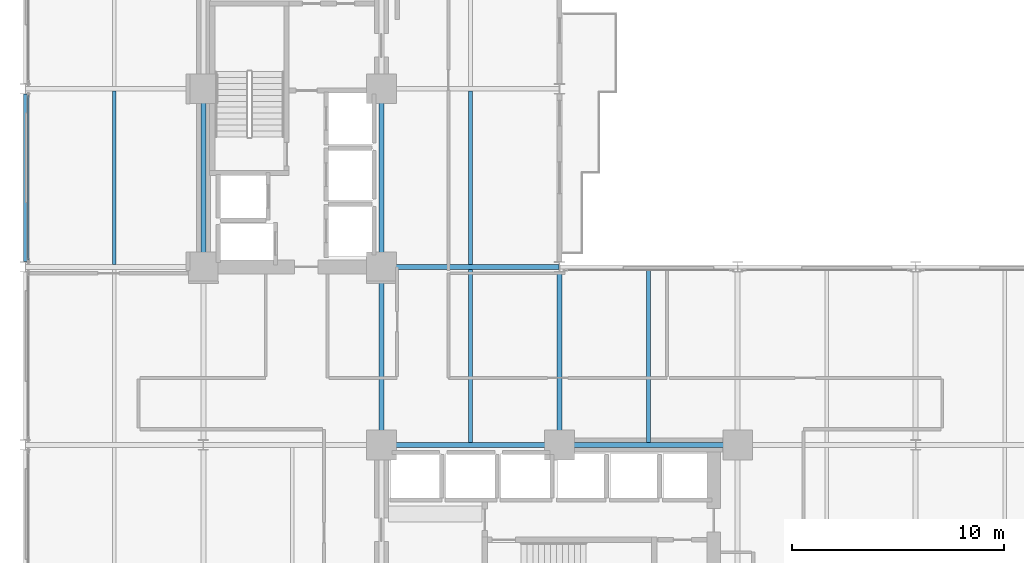
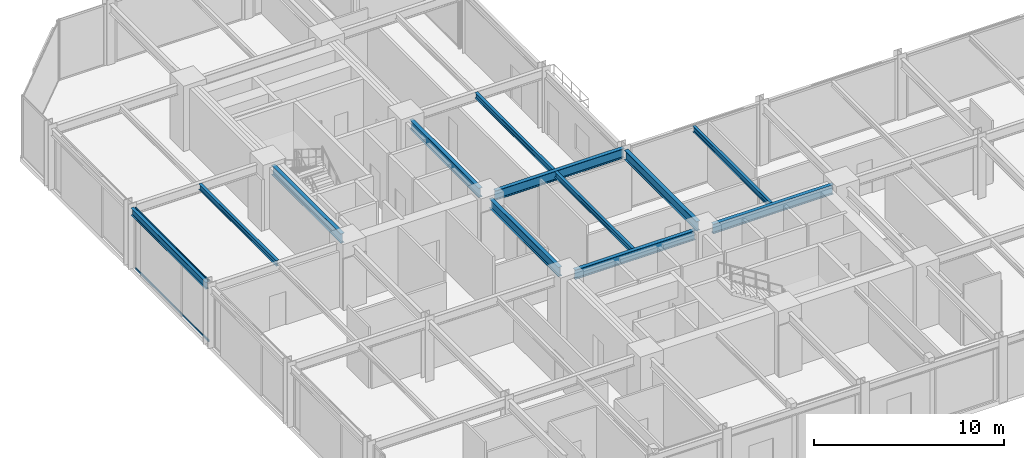
# One storey, part 7 of 24: 12 beams, 2 members, 1 element without a shape of its own.
"""IFC4 building model written with IfcOpenShell, lengths in metres."""

from ifc_helpers import new_model, si_unit, direction, frame, origin, origin_2d, place, context, subcontext, project, spatial, hollow_rectangle, i_section, extrude, material, layer, layer_set, material_profile, profile_set, type_object, element, aggregate, save


model = new_model("IFC4")

# Units and contexts
model_context = context("Model", 3, precision=1e-05, world=origin(), true_north=direction((0.0, 1.0)))
body_context = subcontext(model_context, "Body", "Model", "MODEL_VIEW")
ifc_project = project(units=[si_unit("LENGTHUNIT", "METRE"), si_unit("AREAUNIT", "SQUARE_METRE"), si_unit("VOLUMEUNIT", "CUBIC_METRE"), si_unit("PLANEANGLEUNIT", "RADIAN"), si_unit("MASSUNIT", "GRAM", prefix="KILO")], contexts=[model_context])

# Site, building, storey
site_placement = place(None, origin())
site = spatial("IfcSite", under=ifc_project, at=site_placement, CompositionType="ELEMENT")
building_placement = place(site_placement, origin())
building = spatial("IfcBuilding", under=site, at=building_placement, Name="Nerrivon Quay Data Exchange", CompositionType="ELEMENT")
storey_placement = place(building_placement, frame((0.0, 0.0, 45.800048828125)))
storey = spatial("IfcBuildingStorey", under=building, at=storey_placement, Name="L10", CompositionType="ELEMENT", Elevation=45.800048828125)

# Beams
ifc_material_1 = material(Name="Steel Grade 350", Category="steel")
ifc_material_profile_1 = material_profile(ifc_material_1, i_section(OverallWidth=0.22900390625, OverallDepth=0.612060546875, WebThickness=0.011962890625, FlangeThickness=0.01953125, FilletRadius=0.013916015625, at=origin_2d()), Name="610UB125")
ifc_profile_set_1 = profile_set([ifc_material_profile_1], Name="Steel Grade 350")
beam_type_1 = type_object("IfcBeamType", Name="BM-G1-610UB125", PredefinedType="BEAM", material=ifc_profile_set_1)
beam_1_placement = place(storey_placement, frame((17.340087890625, 16.800048828125, 3.618896484375), z_axis=(1.0, 0.0, 0.0), x_axis=(0.0, 1.0, 0.0)))
element("IfcBeam", 1, at=beam_1_placement, inside=storey, type_object=beam_type_1, Name="L10 EW Girder Y=16.8 (16.8..25.2)", PredefinedType="BEAM", context=body_context, shape_type="SweptSolid", body=[
    extrude(i_section(OverallWidth=0.22900390625, OverallDepth=0.612060546875, WebThickness=0.011962890625, FlangeThickness=0.01953125, FilletRadius=0.013916015625, at=origin_2d()), origin(), (0.0, 0.0, 1.0), 7.31982421875),
])
beam_2_placement = place(storey_placement, frame((25.739990234375, 16.800048828125, 3.618896484375), z_axis=(1.0, 0.0, 0.0), x_axis=(0.0, 1.0, 0.0)))
element("IfcBeam", 2, at=beam_2_placement, inside=storey, type_object=beam_type_1, Name="L10 EW Girder Y=16.8 (25.2..33.6)", PredefinedType="BEAM", context=body_context, shape_type="SweptSolid", body=[
    extrude(i_section(OverallWidth=0.22900390625, OverallDepth=0.612060546875, WebThickness=0.011962890625, FlangeThickness=0.01953125, FilletRadius=0.013916015625, at=origin_2d()), origin(), (0.0, 0.0, 1.0), 7.320068359375),
])
beam_3_placement = place(storey_placement, frame((17.340087890625, 25.199951171875, 3.618896484375), z_axis=(1.0, 0.0, 0.0), x_axis=(0.0, 1.0, 0.0)))
element("IfcBeam", 3, at=beam_3_placement, inside=storey, type_object=beam_type_1, Name="L10 EW Girder Y=25.2 (16.8..25.2)", PredefinedType="BEAM", context=body_context, shape_type="SweptSolid", body=[
    extrude(i_section(OverallWidth=0.22900390625, OverallDepth=0.612060546875, WebThickness=0.011962890625, FlangeThickness=0.01953125, FilletRadius=0.013916015625, at=origin_2d()), origin(), (0.0, 0.0, 1.0), 7.845947265625),
])
ifc_material_profile_2 = material_profile(ifc_material_1, i_section(OverallWidth=0.22802734375, OverallDepth=0.60205078125, WebThickness=0.010498046875, FlangeThickness=0.014892578125, FilletRadius=0.013916015625, at=origin_2d()), Name="610UB101")
ifc_profile_set_2 = profile_set([ifc_material_profile_2], Name="Steel Grade 350")
beam_type_2 = type_object("IfcBeamType", Name="BM-G2-610UB101", PredefinedType="BEAM", material=ifc_profile_set_2)
beam_4_placement = place(storey_placement, frame((8.39990234375, 25.739990234375, 3.6240234375), z_axis=(0.0, 1.0, 0.0), x_axis=(-1.0, 0.0, 0.0)))
element("IfcBeam", 4, at=beam_4_placement, inside=storey, type_object=beam_type_2, Name="L10 NS Girder X=8.4 (25.2..33.6)", PredefinedType="BEAM", context=body_context, shape_type="SweptSolid", body=[
    extrude(i_section(OverallWidth=0.22802734375, OverallDepth=0.60205078125, WebThickness=0.010498046875, FlangeThickness=0.014892578125, FilletRadius=0.013916015625, at=origin_2d()), origin(), (0.0, 0.0, 1.0), 7.320068359375),
])
beam_5_placement = place(storey_placement, frame((16.800048828125, 17.340087890625, 3.6240234375), z_axis=(0.0, 1.0, 0.0), x_axis=(-1.0, 0.0, 0.0)))
element("IfcBeam", 5, at=beam_5_placement, inside=storey, type_object=beam_type_2, Name="L10 NS Girder X=16.8 (16.8..25.2)", PredefinedType="BEAM", context=body_context, shape_type="SweptSolid", body=[
    extrude(i_section(OverallWidth=0.22802734375, OverallDepth=0.60205078125, WebThickness=0.010498046875, FlangeThickness=0.014892578125, FilletRadius=0.013916015625, at=origin_2d()), origin(), (0.0, 0.0, 1.0), 7.31982421875),
])
beam_6_placement = place(storey_placement, frame((16.800048828125, 25.739990234375, 3.6240234375), z_axis=(0.0, 1.0, 0.0), x_axis=(-1.0, 0.0, 0.0)))
element("IfcBeam", 6, at=beam_6_placement, inside=storey, type_object=beam_type_2, Name="L10 NS Girder X=16.8 (25.2..33.6)", PredefinedType="BEAM", context=body_context, shape_type="SweptSolid", body=[
    extrude(i_section(OverallWidth=0.22802734375, OverallDepth=0.60205078125, WebThickness=0.010498046875, FlangeThickness=0.014892578125, FilletRadius=0.013916015625, at=origin_2d()), origin(), (0.0, 0.0, 1.0), 7.320068359375),
])
beam_7_placement = place(storey_placement, frame((25.199951171875, 17.340087890625, 3.6240234375), z_axis=(0.0, 1.0, 0.0), x_axis=(-1.0, 0.0, 0.0)))
element("IfcBeam", 7, at=beam_7_placement, inside=storey, type_object=beam_type_2, Name="L10 NS Girder X=25.2 (16.8..25.2)", PredefinedType="BEAM", context=body_context, shape_type="SweptSolid", body=[
    extrude(i_section(OverallWidth=0.22802734375, OverallDepth=0.60205078125, WebThickness=0.010498046875, FlangeThickness=0.014892578125, FilletRadius=0.013916015625, at=origin_2d()), origin(), (0.0, 0.0, 1.0), 7.60986328125),
])
ifc_material_profile_3 = material_profile(ifc_material_1, i_section(OverallWidth=0.172119140625, OverallDepth=0.35888671875, WebThickness=0.008056640625, FlangeThickness=0.012939453125, FilletRadius=0.011474609375, at=origin_2d()), Name="360UB56.7")
ifc_profile_set_3 = profile_set([ifc_material_profile_3], Name="Steel Grade 350")
beam_type_3 = type_object("IfcBeamType", Name="BM-J3-360UB57", PredefinedType="JOIST", material=ifc_profile_set_3)
beam_8_placement = place(storey_placement, frame((4.199951171875, 25.314453125, 3.745361328125), z_axis=(0.0, 1.0, 0.0), x_axis=(-1.0, 0.0, 0.0)))
element("IfcBeam", 8, at=beam_8_placement, inside=storey, type_object=beam_type_3, Name="L10 Secondary Joist X=4.2 (25.2..33.6)", PredefinedType="JOIST", context=body_context, shape_type="SweptSolid", body=[
    extrude(i_section(OverallWidth=0.172119140625, OverallDepth=0.35888671875, WebThickness=0.008056640625, FlangeThickness=0.012939453125, FilletRadius=0.011474609375, at=origin_2d()), origin(), (0.0, 0.0, 1.0), 8.171142578125),
])
beam_9_placement = place(storey_placement, frame((21.0, 16.91455078125, 3.745361328125), z_axis=(0.0, 1.0, 0.0), x_axis=(-1.0, 0.0, 0.0)))
element("IfcBeam", 9, at=beam_9_placement, inside=storey, type_object=beam_type_3, Name="L10 Secondary Joist X=21.0 (16.8..25.2)", PredefinedType="JOIST", context=body_context, shape_type="SweptSolid", body=[
    extrude(i_section(OverallWidth=0.172119140625, OverallDepth=0.35888671875, WebThickness=0.008056640625, FlangeThickness=0.012939453125, FilletRadius=0.011474609375, at=origin_2d()), origin(), (0.0, 0.0, 1.0), 8.1708984375),
])
beam_10_placement = place(storey_placement, frame((21.0, 25.314453125, 3.745361328125), z_axis=(0.0, 1.0, 0.0), x_axis=(-1.0, 0.0, 0.0)))
element("IfcBeam", 10, at=beam_10_placement, inside=storey, type_object=beam_type_3, Name="L10 Secondary Joist X=21.0 (25.2..33.6)", PredefinedType="JOIST", context=body_context, shape_type="SweptSolid", body=[
    extrude(i_section(OverallWidth=0.172119140625, OverallDepth=0.35888671875, WebThickness=0.008056640625, FlangeThickness=0.012939453125, FilletRadius=0.011474609375, at=origin_2d()), origin(), (0.0, 0.0, 1.0), 8.171142578125),
])
beam_11_placement = place(storey_placement, frame((29.39990234375, 16.91455078125, 3.745361328125), z_axis=(0.0, 1.0, 0.0), x_axis=(-1.0, 0.0, 0.0)))
element("IfcBeam", 11, at=beam_11_placement, inside=storey, type_object=beam_type_3, Name="L10 Secondary Joist X=29.4 (16.8..25.2)", PredefinedType="JOIST", context=body_context, shape_type="SweptSolid", body=[
    extrude(i_section(OverallWidth=0.172119140625, OverallDepth=0.35888671875, WebThickness=0.008056640625, FlangeThickness=0.012939453125, FilletRadius=0.011474609375, at=origin_2d()), origin(), (0.0, 0.0, 1.0), 8.1904296875),
])
ifc_material_profile_4 = material_profile(ifc_material_1, i_section(OverallWidth=0.18994140625, OverallDepth=0.4541015625, WebThickness=0.008544921875, FlangeThickness=0.0126953125, FilletRadius=0.011474609375, at=origin_2d()), Name="460UB67.1")
ifc_profile_set_4 = profile_set([ifc_material_profile_4], Name="Steel Grade 350")
beam_type_4 = type_object("IfcBeamType", Name="BM-SP1-460UB67", PredefinedType="SPANDREL", material=ifc_profile_set_4)
beam_12_placement = place(storey_placement, frame((0.0, 25.449951171875, 3.697998046875), z_axis=(0.0, 1.0, 0.0), x_axis=(-1.0, 0.0, 0.0)))
element("IfcBeam", 12, at=beam_12_placement, inside=storey, type_object=beam_type_4, Name="L10 NS Girder X=0.0 (25.2..33.6)", PredefinedType="SPANDREL", context=body_context, shape_type="SweptSolid", body=[
    extrude(i_section(OverallWidth=0.18994140625, OverallDepth=0.4541015625, WebThickness=0.008544921875, FlangeThickness=0.0126953125, FilletRadius=0.011474609375, at=origin_2d()), origin(), (0.0, 0.0, 1.0), 7.900146484375),
])

# Curtain wall, members
ifc_material_2 = material(Name="Anodised aluminium 6063-T6", Category="aluminium")
ifc_layer = layer(ifc_material_2, 0.219970703125)
ifc_layer_set = layer_set([ifc_layer], Name="Anodised aluminium 6063-T6")
curtain_wall_type = type_object("IfcCurtainWallType", Name="CW-SYS-01", PredefinedType="NOTDEFINED", material=ifc_layer_set)
curtain_wall_placement = place(storey_placement, origin())
curtain_wall = element("IfcCurtainWall", 13, at=curtain_wall_placement, inside=storey, type_object=curtain_wall_type, Name="L10 Unitised Curtain Wall 16", PredefinedType="NOTDEFINED")
ifc_material_profile_5 = material_profile(ifc_material_2, hollow_rectangle(XDim=0.06005859375, YDim=0.1201171875, WallThickness=0.003173828125, at=origin_2d()), Name="ALU-TRAN-120x60")
ifc_profile_set_5 = profile_set([ifc_material_profile_5], Name="Anodised aluminium 6063-T6")
member_type = type_object("IfcMemberType", Name="CWT-120x60", PredefinedType="USERDEFINED", material=ifc_profile_set_5)
member_1_placement = place(storey_placement, frame((0.139892578125, 25.52490234375, 0.032470703125), z_axis=(0.0, 1.0, 0.0), x_axis=(-1.0, 0.0, 0.0)))
member_1 = element("IfcMember", 14, at=member_1_placement, type_object=member_type, Name="CW01 transom 1.1", ObjectType="TRANSOM", PredefinedType="USERDEFINED", context=body_context, shape_type="SweptSolid", body=[
    extrude(hollow_rectangle(XDim=0.06005859375, YDim=0.1201171875, WallThickness=0.003173828125, at=origin_2d()), origin(), (0.0, 0.0, 1.0), 7.75),
])
member_2_placement = place(storey_placement, frame((0.139892578125, 25.52490234375, 3.892333984375), z_axis=(0.0, 1.0, 0.0), x_axis=(-1.0, 0.0, 0.0)))
member_2 = element("IfcMember", 15, at=member_2_placement, type_object=member_type, Name="CW01 transom 1.2", ObjectType="TRANSOM", PredefinedType="USERDEFINED", context=body_context, shape_type="SweptSolid", body=[
    extrude(hollow_rectangle(XDim=0.06005859375, YDim=0.1201171875, WallThickness=0.003173828125, at=origin_2d()), origin(), (0.0, 0.0, 1.0), 7.75),
])
aggregate(curtain_wall, [member_1, member_2])

save(model, "model.ifc")
